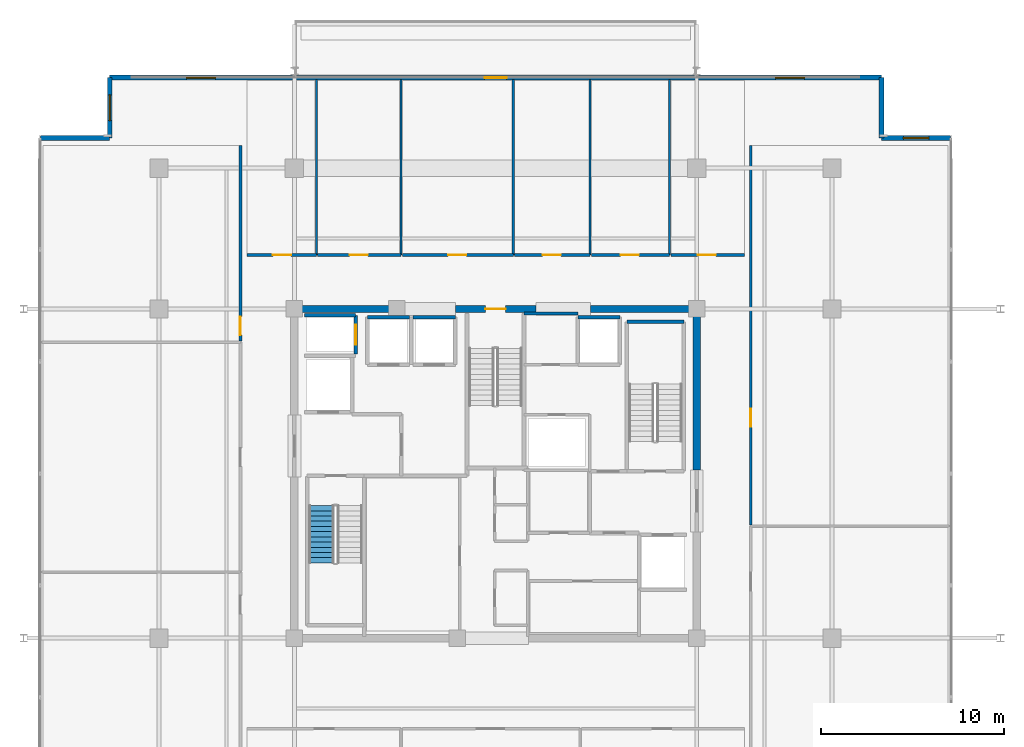
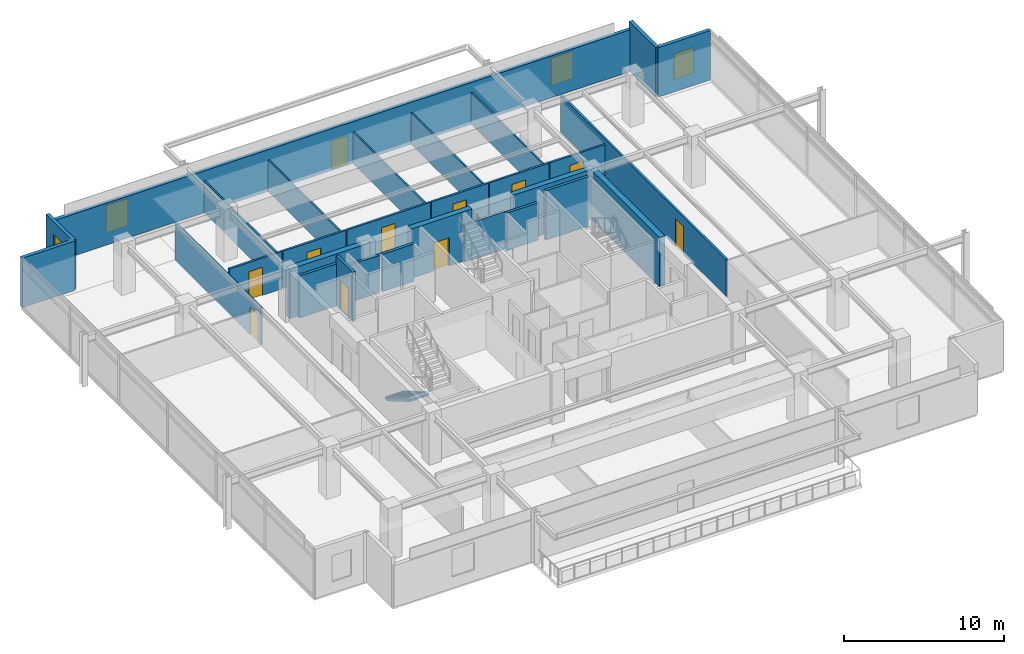
# One storey, part 15 of 20: 29 walls, 11 doors, 4 windows, 1 stair flight, 15 openings, 1 element without a shape of its own.
"""IFC4 building model written with IfcOpenShell, lengths in metres."""

from ifc_helpers import new_model, si_unit, direction, frame, frame_2d, origin, place, context, subcontext, project, spatial, polyline, rectangle, outline, extrude, material, layer, layer_set, type_object, element, fill, aggregate, save


model = new_model("IFC4")

# Units and contexts
model_context = context("Model", 3, precision=1e-05, world=origin(), true_north=direction((0.0, 1.0)))
body_context = subcontext(model_context, "Body", "Model", "MODEL_VIEW")
ifc_project = project(units=[si_unit("LENGTHUNIT", "METRE"), si_unit("AREAUNIT", "SQUARE_METRE"), si_unit("VOLUMEUNIT", "CUBIC_METRE"), si_unit("PLANEANGLEUNIT", "RADIAN"), si_unit("MASSUNIT", "GRAM", prefix="KILO")], contexts=[model_context])

# Site, building, storey
site_placement = place(None, origin())
site = spatial("IfcSite", under=ifc_project, at=site_placement, CompositionType="ELEMENT")
building_placement = place(site_placement, origin())
building = spatial("IfcBuilding", under=site, at=building_placement, Name="Kovane Verandah Tower", CompositionType="ELEMENT")
storey_placement = place(building_placement, frame((0.0, 0.0, 322.800048828125)))
storey = spatial("IfcBuildingStorey", under=building, at=storey_placement, Name="L75", CompositionType="ELEMENT", Elevation=322.800048828125)

# Wall
ifc_material_1 = material(Name="Fire-Rated Gypsum Stud Partition", Category="gypsum")
ifc_layer_1 = layer(ifc_material_1, 0.14990234375)
ifc_layer_set_1 = layer_set([ifc_layer_1], Name="Fire-Rated Gypsum Stud Partition")
wall_type_1 = type_object("IfcWallType", Name="WL-COR-150", PredefinedType="PARTITIONING", material=ifc_layer_set_1)
wall_1_placement = place(storey_placement, frame((41.56005859375, 36.25, 0.0), z_axis=(0.0, 0.0, 1.0), x_axis=(1.0, 0.0, 0.0)))
element("IfcWall", 1, at=wall_1_placement, inside=storey, type_object=wall_type_1, Name="L75 Sky Telecom Riser North Wall", PredefinedType="PARTITIONING", context=body_context, shape_type="SweptSolid", body=[
    extrude(rectangle(XDim=2.93994140625, YDim=0.14990234375, at=frame_2d((1.469970703125, 0.0))), origin(), (0.0, 0.0, 1.0), 2.849853515625),
])

# Wall, opening, door
wall_2_placement = place(storey_placement, frame((26.39990234375, 39.449951171875, 0.0), z_axis=(0.0, 0.0, 1.0), x_axis=(1.0, 0.0, 0.0)))
wall_2 = element("IfcWall", 2, at=wall_2_placement, inside=storey, type_object=wall_type_1, Name="L75 Meeting Room N1 Corridor Partition", PredefinedType="PARTITIONING", context=body_context, shape_type="SweptSolid", body=[
    extrude(rectangle(XDim=3.80810546875, YDim=0.14990234375, at=frame_2d((1.904052734375, 0.0))), origin(), (0.0, 0.0, 1.0), 2.849853515625),
])
opening_1_placement = place(wall_2_placement, frame((1.4189453125, 0.0, 0.0)))
opening_1 = element("IfcOpeningElement", 3, at=opening_1_placement, cuts=wall_2, Name="Opening DR-L75-018", PredefinedType="OPENING", context=body_context, shape_type="SweptSolid", body=[
    extrude(rectangle(XDim=1.0, YDim=2.14990234375, at=frame_2d((0.5, 1.074951171875))), frame((0.0, 0.074951171875, 0.0), z_axis=(0.0, -1.0, 0.0), x_axis=(1.0, 0.0, 0.0)), (0.0, 0.0, 1.0), 0.14990234375),
])
ifc_material_2 = material(Name="FSC Spotted-Gum Timber Fire-Rated Office Door", Category="wood")
door_type_1 = type_object("IfcDoorType", Name="DR-OFF-1000", OperationType="SINGLE_SWING_LEFT", PredefinedType="DOOR", material=ifc_material_2)
door_1_placement = place(opening_1_placement, origin())
door_1 = element("IfcDoor", 4, at=door_1_placement, inside=storey, type_object=door_type_1, Name="L75 Meeting Room N1 Entrance Door", OperationType="SINGLE_SWING_LEFT", OverallHeight=2.14990234375, OverallWidth=1.0, PredefinedType="DOOR", context=body_context, shape_type="SweptSolid", body=[
    extrude(rectangle(XDim=1.0, YDim=2.14990234375, at=frame_2d((0.5, 1.074951171875))), frame((0.0, 0.02490234375, 0.0), z_axis=(0.0, -1.0, 0.0), x_axis=(1.0, 0.0, 0.0)), (0.0, 0.0, 1.0), 0.050048828125),
])
fill(opening_1, door_1)

wall_3_placement = place(storey_placement, frame((30.278076171875, 39.449951171875, 0.0), z_axis=(0.0, 0.0, 1.0), x_axis=(1.0, 0.0, 0.0)))
wall_3 = element("IfcWall", 5, at=wall_3_placement, inside=storey, type_object=wall_type_1, Name="L75 Focus Studio N2 Corridor Partition", PredefinedType="PARTITIONING", context=body_context, shape_type="SweptSolid", body=[
    extrude(rectangle(XDim=4.553955078125, YDim=0.14990234375, at=frame_2d((2.27685546875, 0.0))), origin(), (0.0, 0.0, 1.0), 2.849853515625),
])
opening_2_placement = place(wall_3_placement, frame((1.741943359375, 0.0, 0.0)))
opening_2 = element("IfcOpeningElement", 6, at=opening_2_placement, cuts=wall_3, Name="Opening DR-L75-019", PredefinedType="OPENING", context=body_context, shape_type="SweptSolid", body=[
    extrude(rectangle(XDim=1.0, YDim=2.14990234375, at=frame_2d((0.5, 1.074951171875))), frame((0.0, 0.074951171875, 0.0), z_axis=(0.0, -1.0, 0.0), x_axis=(1.0, 0.0, 0.0)), (0.0, 0.0, 1.0), 0.14990234375),
])
door_2_placement = place(opening_2_placement, origin())
door_2 = element("IfcDoor", 7, at=door_2_placement, inside=storey, type_object=door_type_1, Name="L75 Focus Studio N2 Entrance Door", OperationType="SINGLE_SWING_RIGHT", OverallHeight=2.14990234375, OverallWidth=1.0, PredefinedType="DOOR", context=body_context, shape_type="SweptSolid", body=[
    extrude(rectangle(XDim=1.0, YDim=2.14990234375, at=frame_2d((0.5, 1.074951171875))), frame((0.0, 0.02490234375, 0.0), z_axis=(0.0, -1.0, 0.0), x_axis=(1.0, 0.0, 0.0)), (0.0, 0.0, 1.0), 0.050048828125),
])
fill(opening_2, door_2)

wall_4_placement = place(storey_placement, frame((34.902099609375, 39.449951171875, 0.0), z_axis=(0.0, 0.0, 1.0), x_axis=(1.0, 0.0, 0.0)))
wall_4 = element("IfcWall", 8, at=wall_4_placement, inside=storey, type_object=wall_type_1, Name="L75 Breakout Pantry N3 Corridor Partition", PredefinedType="PARTITIONING", context=body_context, shape_type="SweptSolid", body=[
    extrude(rectangle(XDim=6.06787109375, YDim=0.14990234375, at=frame_2d((3.033935546875, 0.0))), origin(), (0.0, 0.0, 1.0), 2.849853515625),
])
opening_3_placement = place(wall_4_placement, frame((2.4990234375, 0.0, 0.0)))
opening_3 = element("IfcOpeningElement", 9, at=opening_3_placement, cuts=wall_4, Name="Opening DR-L75-020", PredefinedType="OPENING", context=body_context, shape_type="SweptSolid", body=[
    extrude(rectangle(XDim=1.0, YDim=2.14990234375, at=frame_2d((0.5, 1.074951171875))), frame((0.0, 0.074951171875, 0.0), z_axis=(0.0, -1.0, 0.0), x_axis=(1.0, 0.0, 0.0)), (0.0, 0.0, 1.0), 0.14990234375),
])
door_3_placement = place(opening_3_placement, origin())
door_3 = element("IfcDoor", 10, at=door_3_placement, inside=storey, type_object=door_type_1, Name="L75 Breakout Pantry N3 Entrance Door", OperationType="SINGLE_SWING_LEFT", OverallHeight=2.14990234375, OverallWidth=1.0, PredefinedType="DOOR", context=body_context, shape_type="SweptSolid", body=[
    extrude(rectangle(XDim=1.0, YDim=2.14990234375, at=frame_2d((0.5, 1.074951171875))), frame((0.0, 0.02490234375, 0.0), z_axis=(0.0, -1.0, 0.0), x_axis=(1.0, 0.0, 0.0)), (0.0, 0.0, 1.0), 0.050048828125),
])
fill(opening_3, door_3)

wall_5_placement = place(storey_placement, frame((41.0400390625, 39.449951171875, 0.0), z_axis=(0.0, 0.0, 1.0), x_axis=(1.0, 0.0, 0.0)))
wall_5 = element("IfcWall", 11, at=wall_5_placement, inside=storey, type_object=wall_type_1, Name="L75 Collaboration Hub N4 Corridor Partition", PredefinedType="PARTITIONING", context=body_context, shape_type="SweptSolid", body=[
    extrude(rectangle(XDim=4.1279296875, YDim=0.14990234375, at=frame_2d((2.06396484375, 0.0))), origin(), (0.0, 0.0, 1.0), 2.849853515625),
])
opening_4_placement = place(wall_5_placement, frame((1.529052734375, 0.0, 0.0)))
opening_4 = element("IfcOpeningElement", 12, at=opening_4_placement, cuts=wall_5, Name="Opening DR-L75-021", PredefinedType="OPENING", context=body_context, shape_type="SweptSolid", body=[
    extrude(rectangle(XDim=1.0, YDim=2.14990234375, at=frame_2d((0.5, 1.074951171875))), frame((0.0, 0.074951171875, 0.0), z_axis=(0.0, -1.0, 0.0), x_axis=(1.0, 0.0, 0.0)), (0.0, 0.0, 1.0), 0.14990234375),
])
door_4_placement = place(opening_4_placement, origin())
door_4 = element("IfcDoor", 13, at=door_4_placement, inside=storey, type_object=door_type_1, Name="L75 Collaboration Hub N4 Entrance Door", OperationType="SINGLE_SWING_RIGHT", OverallHeight=2.14990234375, OverallWidth=1.0, PredefinedType="DOOR", context=body_context, shape_type="SweptSolid", body=[
    extrude(rectangle(XDim=1.0, YDim=2.14990234375, at=frame_2d((0.5, 1.074951171875))), frame((0.0, 0.02490234375, 0.0), z_axis=(0.0, -1.0, 0.0), x_axis=(1.0, 0.0, 0.0)), (0.0, 0.0, 1.0), 0.050048828125),
])
fill(opening_4, door_4)

wall_6_placement = place(storey_placement, frame((45.238037109375, 39.449951171875, 0.0), z_axis=(0.0, 0.0, 1.0), x_axis=(1.0, 0.0, 0.0)))
wall_6 = element("IfcWall", 14, at=wall_6_placement, inside=storey, type_object=wall_type_1, Name="L75 Document and Print Room N5 Corridor Partition", PredefinedType="PARTITIONING", context=body_context, shape_type="SweptSolid", body=[
    extrude(rectangle(XDim=4.281982421875, YDim=0.14990234375, at=frame_2d((2.14111328125, 0.0))), origin(), (0.0, 0.0, 1.0), 2.849853515625),
])
opening_5_placement = place(wall_6_placement, frame((1.60595703125, 0.0, 0.0)))
opening_5 = element("IfcOpeningElement", 15, at=opening_5_placement, cuts=wall_6, Name="Opening DR-L75-022", PredefinedType="OPENING", context=body_context, shape_type="SweptSolid", body=[
    extrude(rectangle(XDim=1.0, YDim=2.14990234375, at=frame_2d((0.5, 1.074951171875))), frame((0.0, 0.074951171875, 0.0), z_axis=(0.0, -1.0, 0.0), x_axis=(1.0, 0.0, 0.0)), (0.0, 0.0, 1.0), 0.14990234375),
])
door_5_placement = place(opening_5_placement, origin())
door_5 = element("IfcDoor", 16, at=door_5_placement, inside=storey, type_object=door_type_1, Name="L75 Document and Print Room N5 Entrance Door", OperationType="SINGLE_SWING_LEFT", OverallHeight=2.14990234375, OverallWidth=1.0, PredefinedType="DOOR", context=body_context, shape_type="SweptSolid", body=[
    extrude(rectangle(XDim=1.0, YDim=2.14990234375, at=frame_2d((0.5, 1.074951171875))), frame((0.0, 0.02490234375, 0.0), z_axis=(0.0, -1.0, 0.0), x_axis=(1.0, 0.0, 0.0)), (0.0, 0.0, 1.0), 0.050048828125),
])
fill(opening_5, door_5)

wall_7_placement = place(storey_placement, frame((49.590087890625, 39.449951171875, 0.0), z_axis=(0.0, 0.0, 1.0), x_axis=(1.0, 0.0, 0.0)))
wall_7 = element("IfcWall", 17, at=wall_7_placement, inside=storey, type_object=wall_type_1, Name="L75 Open Plan Office N6 Corridor Partition", PredefinedType="PARTITIONING", context=body_context, shape_type="SweptSolid", body=[
    extrude(rectangle(XDim=4.010009765625, YDim=0.14990234375, at=frame_2d((2.0048828125, 0.0))), origin(), (0.0, 0.0, 1.0), 2.849853515625),
])
opening_6_placement = place(wall_7_placement, frame((1.455078125, 0.0, 0.0)))
opening_6 = element("IfcOpeningElement", 18, at=opening_6_placement, cuts=wall_7, Name="Opening DR-L75-023", PredefinedType="OPENING", context=body_context, shape_type="SweptSolid", body=[
    extrude(rectangle(XDim=1.0, YDim=2.14990234375, at=frame_2d((0.5, 1.074951171875))), frame((0.0, 0.074951171875, 0.0), z_axis=(0.0, -1.0, 0.0), x_axis=(1.0, 0.0, 0.0)), (0.0, 0.0, 1.0), 0.14990234375),
])
door_6_placement = place(opening_6_placement, origin())
door_6 = element("IfcDoor", 19, at=door_6_placement, inside=storey, type_object=door_type_1, Name="L75 Open Plan Office N6 Entrance Door", OperationType="SINGLE_SWING_RIGHT", OverallHeight=2.14990234375, OverallWidth=1.0, PredefinedType="DOOR", context=body_context, shape_type="SweptSolid", body=[
    extrude(rectangle(XDim=1.0, YDim=2.14990234375, at=frame_2d((0.5, 1.074951171875))), frame((0.0, 0.02490234375, 0.0), z_axis=(0.0, -1.0, 0.0), x_axis=(1.0, 0.0, 0.0)), (0.0, 0.0, 1.0), 0.050048828125),
])
fill(opening_6, door_6)

wall_8_placement = place(storey_placement, frame((26.050048828125, 34.75, 0.0), z_axis=(0.0, 0.0, 1.0), x_axis=(0.0, 1.0, 0.0)))
wall_8 = element("IfcWall", 20, at=wall_8_placement, inside=storey, type_object=wall_type_1, Name="L75 Collaboration Hub W3 Corridor Partition", PredefinedType="PARTITIONING", context=body_context, shape_type="SweptSolid", body=[
    extrude(rectangle(XDim=10.699951171875, YDim=0.14990234375, at=frame_2d((5.35009765625, 0.0))), origin(), (0.0, 0.0, 1.0), 2.849853515625),
])
opening_7_placement = place(wall_8_placement, frame((0.324951171875, 0.0, 0.0)))
opening_7 = element("IfcOpeningElement", 21, at=opening_7_placement, cuts=wall_8, Name="Opening DR-L75-032", PredefinedType="OPENING", context=body_context, shape_type="SweptSolid", body=[
    extrude(rectangle(XDim=1.0, YDim=2.14990234375, at=frame_2d((0.5, 1.074951171875))), frame((0.0, 0.074951171875, 0.0), z_axis=(0.0, -1.0, 0.0), x_axis=(1.0, 0.0, 0.0)), (0.0, 0.0, 1.0), 0.14990234375),
])
door_7_placement = place(opening_7_placement, origin())
door_7 = element("IfcDoor", 22, at=door_7_placement, inside=storey, type_object=door_type_1, Name="L75 Collaboration Hub W3 Entrance Door", OperationType="SINGLE_SWING_RIGHT", OverallHeight=2.14990234375, OverallWidth=1.0, PredefinedType="DOOR", context=body_context, shape_type="SweptSolid", body=[
    extrude(rectangle(XDim=1.0, YDim=2.14990234375, at=frame_2d((0.5, 1.074951171875))), frame((0.0, 0.02490234375, 0.0), z_axis=(0.0, -1.0, 0.0), x_axis=(1.0, 0.0, 0.0)), (0.0, 0.0, 1.0), 0.050048828125),
])
fill(opening_7, door_7)

wall_9_placement = place(storey_placement, frame((53.949951171875, 24.697998046875, 0.0), z_axis=(0.0, 0.0, 1.0), x_axis=(0.0, 1.0, 0.0)))
wall_9 = element("IfcWall", 23, at=wall_9_placement, inside=storey, type_object=wall_type_1, Name="L75 Open Plan Office E2 Corridor Partition", PredefinedType="PARTITIONING", context=body_context, shape_type="SweptSolid", body=[
    extrude(rectangle(XDim=20.751953125, YDim=0.14990234375, at=frame_2d((10.3759765625, 0.0))), origin(), (0.0, 0.0, 1.0), 2.849853515625),
])
opening_8_placement = place(wall_9_placement, frame((5.35107421875, 0.0, 0.0)))
opening_8 = element("IfcOpeningElement", 24, at=opening_8_placement, cuts=wall_9, Name="Opening DR-L75-012", PredefinedType="OPENING", context=body_context, shape_type="SweptSolid", body=[
    extrude(rectangle(XDim=1.0, YDim=2.14990234375, at=frame_2d((0.5, 1.074951171875))), frame((0.0, 0.074951171875, 0.0), z_axis=(0.0, -1.0, 0.0), x_axis=(1.0, 0.0, 0.0)), (0.0, 0.0, 1.0), 0.14990234375),
])
door_8_placement = place(opening_8_placement, origin())
door_8 = element("IfcDoor", 25, at=door_8_placement, inside=storey, type_object=door_type_1, Name="L75 Open Plan Office E2 Entrance Door", OperationType="SINGLE_SWING_RIGHT", OverallHeight=2.14990234375, OverallWidth=1.0, PredefinedType="DOOR", context=body_context, shape_type="SweptSolid", body=[
    extrude(rectangle(XDim=1.0, YDim=2.14990234375, at=frame_2d((0.5, 1.074951171875))), frame((0.0, 0.02490234375, 0.0), z_axis=(0.0, -1.0, 0.0), x_axis=(1.0, 0.0, 0.0)), (0.0, 0.0, 1.0), 0.050048828125),
])
fill(opening_8, door_8)

# Wall
ifc_material_3 = material(Name="Concrete C60/75", Category="concrete")
ifc_layer_2 = layer(ifc_material_3, 0.39990234375)
ifc_layer_set_2 = layer_set([ifc_layer_2], Name="Concrete C60/75")
wall_type_2 = type_object("IfcWallType", Name="WL-CORE-400", PredefinedType="SHEAR", material=ifc_layer_set_2)
wall_10_placement = place(storey_placement, frame((29.0, 36.5, 0.0), z_axis=(0.0, 0.0, 1.0), x_axis=(1.0, 0.0, 0.0)))
element("IfcWall", 26, at=wall_10_placement, inside=storey, type_object=wall_type_2, Name="L75 Core Shear Wall CN-1", PredefinedType="SHEAR", context=body_context, shape_type="SweptSolid", body=[
    extrude(rectangle(XDim=5.800048828125, YDim=0.39990234375, at=frame_2d((2.89990234375, 0.0))), origin(), (0.0, 0.0, 1.0), 3.784912109375),
])

# Wall, opening, door
wall_11_placement = place(storey_placement, frame((37.800048828125, 36.5, 0.0), z_axis=(0.0, 0.0, 1.0), x_axis=(1.0, 0.0, 0.0)))
wall_11 = element("IfcWall", 27, at=wall_11_placement, inside=storey, type_object=wall_type_2, Name="L75 Core Shear Wall CN-2", PredefinedType="SHEAR", context=body_context, shape_type="SweptSolid", body=[
    extrude(rectangle(XDim=4.39990234375, YDim=0.39990234375, at=frame_2d((2.199951171875, 0.0))), origin(), (0.0, 0.0, 1.0), 3.784912109375),
])
opening_9_placement = place(wall_11_placement, frame((1.64990234375, 0.0, 0.0)))
opening_9 = element("IfcOpeningElement", 28, at=opening_9_placement, cuts=wall_11, Name="Opening DR-L75-010", PredefinedType="OPENING", context=body_context, shape_type="SweptSolid", body=[
    extrude(rectangle(XDim=1.10009765625, YDim=2.14990234375, at=frame_2d((0.550048828125, 1.074951171875))), frame((0.0, 0.199951171875, 0.0), z_axis=(0.0, -1.0, 0.0), x_axis=(1.0, 0.0, 0.0)), (0.0, 0.0, 1.0), 0.39990234375),
])
ifc_material_4 = material(Name="Fire-Rated Steel Exit Door", Category="steel")
door_type_2 = type_object("IfcDoorType", Name="DR-STAIR-1100", OperationType="SINGLE_SWING_LEFT", PredefinedType="DOOR", material=ifc_material_4)
door_9_placement = place(opening_9_placement, origin())
door_9 = element("IfcDoor", 29, at=door_9_placement, inside=storey, type_object=door_type_2, Name="L75 ST-03 Fire Exit Stair Door", OperationType="SINGLE_SWING_RIGHT", OverallHeight=2.14990234375, OverallWidth=1.10009765625, PredefinedType="DOOR", context=body_context, shape_type="SweptSolid", body=[
    extrude(rectangle(XDim=1.10009765625, YDim=2.14990234375, at=frame_2d((0.550048828125, 1.074951171875))), frame((0.0, 0.02490234375, 0.0), z_axis=(0.0, -1.0, 0.0), x_axis=(1.0, 0.0, 0.0)), (0.0, 0.0, 1.0), 0.050048828125),
])
fill(opening_9, door_9)

# Walls
wall_12_placement = place(storey_placement, frame((45.199951171875, 36.5, 0.0), z_axis=(0.0, 0.0, 1.0), x_axis=(1.0, 0.0, 0.0)))
element("IfcWall", 30, at=wall_12_placement, inside=storey, type_object=wall_type_2, Name="L75 Core Shear Wall CN-3", PredefinedType="SHEAR", context=body_context, shape_type="SweptSolid", body=[
    extrude(rectangle(XDim=5.800048828125, YDim=0.39990234375, at=frame_2d((2.89990234375, 0.0))), origin(), (0.0, 0.0, 1.0), 3.784912109375),
])
wall_13_placement = place(storey_placement, frame((51.0, 27.699951171875, 0.0), z_axis=(0.0, 0.0, 1.0), x_axis=(0.0, 1.0, 0.0)))
element("IfcWall", 31, at=wall_13_placement, inside=storey, type_object=wall_type_2, Name="L75 Core Shear Wall CE-2", PredefinedType="SHEAR", context=body_context, shape_type="SweptSolid", body=[
    extrude(rectangle(XDim=8.800048828125, YDim=0.39990234375, at=frame_2d((4.39990234375, 0.0))), origin(), (0.0, 0.0, 1.0), 3.784912109375),
])
ifc_material_5 = material(Name="Concrete C45/55 Lift Shaft Wall", Category="concrete")
ifc_layer_3 = layer(ifc_material_5, 0.199951171875)
ifc_layer_set_3 = layer_set([ifc_layer_3], Name="Concrete C45/55 Lift Shaft Wall")
wall_type_3 = type_object("IfcWallType", Name="WL-LIFT-200", PredefinedType="SOLIDWALL", material=ifc_layer_set_3)
wall_14_placement = place(storey_placement, frame((32.35009765625, 36.14990234375, 0.0), z_axis=(0.0, 0.0, 1.0), x_axis=(-1.0, 0.0, 0.0)))
element("IfcWall", 32, at=wall_14_placement, inside=storey, type_object=wall_type_3, Name="L75 Lift GL-01 N Shaft Wall", PredefinedType="SOLIDWALL", context=body_context, shape_type="SweptSolid", body=[
    extrude(rectangle(XDim=2.800048828125, YDim=0.199951171875, at=frame_2d((1.39990234375, 0.0))), origin(), (0.0, 0.0, 1.0), 3.220458984375),
])

# Wall, opening, door
wall_15_placement = place(storey_placement, frame((32.35009765625, 34.050048828125, 0.0), z_axis=(0.0, 0.0, 1.0), x_axis=(0.0, 1.0, 0.0)))
wall_15 = element("IfcWall", 33, at=wall_15_placement, inside=storey, type_object=wall_type_3, Name="L75 Lift GL-01 E Shaft Wall", PredefinedType="SOLIDWALL", context=body_context, shape_type="SweptSolid", body=[
    extrude(rectangle(XDim=2.099853515625, YDim=0.199951171875, at=frame_2d((1.0498046875, 0.0))), origin(), (0.0, 0.0, 1.0), 3.784912109375),
])
opening_10_placement = place(wall_15_placement, frame((0.5, 0.0, 0.0)))
opening_10 = element("IfcOpeningElement", 34, at=opening_10_placement, cuts=wall_15, Name="Opening LD-L75-003", PredefinedType="OPENING", context=body_context, shape_type="SweptSolid", body=[
    extrude(rectangle(XDim=1.10009765625, YDim=2.199951171875, at=frame_2d((0.550048828125, 1.10009765625))), frame((0.0, 0.10009765625, 0.0), z_axis=(0.0, -1.0, 0.0), x_axis=(1.0, 0.0, 0.0)), (0.0, 0.0, 1.0), 0.199951171875),
])
ifc_material_6 = material(Name="Brushed Stainless Steel Sliding Lift Landing Door", Category="steel")
door_type_3 = type_object("IfcDoorType", Name="DR-LIFT-1100", OperationType="SLIDING_TO_RIGHT", PredefinedType="DOOR", material=ifc_material_6)
door_10_placement = place(opening_10_placement, origin())
door_10 = element("IfcDoor", 35, at=door_10_placement, inside=storey, type_object=door_type_3, Name="L75 Lift GL-01 Sliding Landing Door", OperationType="SLIDING_TO_RIGHT", OverallHeight=2.199951171875, OverallWidth=1.10009765625, PredefinedType="DOOR", context=body_context, shape_type="SweptSolid", body=[
    extrude(rectangle(XDim=1.10009765625, YDim=2.199951171875, at=frame_2d((0.550048828125, 1.10009765625))), frame((0.0, 0.02490234375, 0.0), z_axis=(0.0, -1.0, 0.0), x_axis=(1.0, 0.0, 0.0)), (0.0, 0.0, 1.0), 0.050048828125),
])
fill(opening_10, door_10)

# Walls
for number, where, z_axis, x_axis, name in (
    (36, (35.300048828125, 36.050048828125, 0.0), (0.0, 0.0, 1.0), (-1.0, 0.0, 0.0), "L75 Lift PL-H1 N Shaft Wall"),
    (37, (37.800048828125, 36.050048828125, 0.0), (0.0, 0.0, 1.0), (-1.0, 0.0, 0.0), "L75 Lift PL-H2 N Shaft Wall"),
    (38, (46.800048828125, 36.050048828125, 0.0), (0.0, 0.0, 1.0), (-1.0, 0.0, 0.0), "L75 Lift OL-01 N Shaft Wall"),
):
    element("IfcWall", number, at=place(storey_placement, frame(where, z_axis=z_axis, x_axis=x_axis)), inside=storey, type_object=wall_type_3, Name=name, PredefinedType="SOLIDWALL", context=body_context, shape_type="SweptSolid", body=[
        extrude(rectangle(XDim=2.300048828125, YDim=0.199951171875, at=frame_2d((1.14990234375, 0.0))), origin(), (0.0, 0.0, 1.0), 2.864990234375),
    ])
ifc_material_7 = material(Name="Acoustic Fire-Rated Gypsum Partition", Category="gypsum")
ifc_layer_4 = layer(ifc_material_7, 0.1201171875)
ifc_layer_set_4 = layer_set([ifc_layer_4], Name="Acoustic Fire-Rated Gypsum Partition")
wall_type_4 = type_object("IfcWallType", Name="WL-PART-120", PredefinedType="PARTITIONING", material=ifc_layer_set_4)
for number, where, z_axis, x_axis, name in (
    (39, (30.2080078125, 39.449951171875, 0.0), (0.0, 0.0, 1.0), (0.0, 1.0, 0.0), "L75 Meeting Room N1 Dividing Partition"),
    (40, (34.83203125, 39.449951171875, 0.0), (0.0, 0.0, 1.0), (0.0, 1.0, 0.0), "L75 Focus Studio N2 Dividing Partition"),
    (41, (40.969970703125, 39.449951171875, 0.0), (0.0, 0.0, 1.0), (0.0, 1.0, 0.0), "L75 Breakout Pantry N3 Dividing Partition"),
    (42, (45.16796875, 39.449951171875, 0.0), (0.0, 0.0, 1.0), (0.0, 1.0, 0.0), "L75 Collaboration Hub N4 Dividing Partition"),
    (43, (49.52001953125, 39.449951171875, 0.0), (0.0, 0.0, 1.0), (0.0, 1.0, 0.0), "L75 Document and Print Room N5 Dividing Partition"),
):
    element("IfcWall", number, at=place(storey_placement, frame(where, z_axis=z_axis, x_axis=x_axis)), inside=storey, type_object=wall_type_4, Name=name, PredefinedType="PARTITIONING", context=body_context, shape_type="SweptSolid", body=[
        extrude(rectangle(XDim=9.60009765625, YDim=0.1201171875, at=frame_2d((4.800048828125, 0.0))), origin(), (0.0, 0.0, 1.0), 2.4150390625),
    ])
ifc_material_8 = material(Name="Concrete C45/55", Category="concrete")
ifc_layer_5 = layer(ifc_material_8, 0.199951171875)
ifc_layer_set_5 = layer_set([ifc_layer_5], Name="Concrete C45/55")
wall_type_5 = type_object("IfcWallType", Name="WL-SHAFT-200", PredefinedType="SOLIDWALL", material=ifc_layer_set_5)
wall_16_placement = place(storey_placement, frame((47.179931640625, 35.800048828125, 0.0), z_axis=(0.0, 0.0, 1.0), x_axis=(1.0, 0.0, 0.0)))
element("IfcWall", 44, at=wall_16_placement, inside=storey, type_object=wall_type_5, Name="W-L75-ST02-N", PredefinedType="SOLIDWALL", context=body_context, shape_type="SweptSolid", body=[
    extrude(rectangle(XDim=3.1201171875, YDim=0.199951171875, at=frame_2d((1.56005859375, 0.0))), origin(), (0.0, 0.0, 1.0), 3.784912109375),
])

# Wall, openings, door, windows
ifc_material_9 = material(Name="Concrete C45/55 Insulated Spandrel Wall", Category="concrete")
ifc_layer_6 = layer(ifc_material_9, 0.260009765625)
ifc_layer_set_6 = layer_set([ifc_layer_6], Name="Concrete C45/55 Insulated Spandrel Wall")
wall_type_6 = type_object("IfcWallType", Name="WL-SPANDREL-260", PredefinedType="PARAPET", material=ifc_layer_set_6)
wall_17_placement = place(storey_placement, frame((61.10009765625, 49.14990234375, 0.0), z_axis=(0.0, 0.0, 1.0), x_axis=(-1.0, 0.0, 0.0)))
wall_17 = element("IfcWall", 45, at=wall_17_placement, inside=storey, type_object=wall_type_6, Name="L75 N Verandah Access Facade Wall", PredefinedType="PARAPET", context=body_context, shape_type="SweptSolid", body=[
    extrude(rectangle(XDim=42.2001953125, YDim=0.260009765625, at=frame_2d((21.10009765625, 0.0))), origin(), (0.0, 0.0, 1.0), 3.195556640625),
])
opening_11_placement = place(wall_17_placement, frame((4.199951171875, 0.0, 0.85009765625)))
opening_11 = element("IfcOpeningElement", 46, at=opening_11_placement, cuts=wall_17, Name="Opening W-02", PredefinedType="OPENING", context=body_context, shape_type="SweptSolid", body=[
    extrude(rectangle(XDim=1.60009765625, YDim=2.10009765625, at=frame_2d((0.800048828125, 1.050048828125))), frame((0.0, 0.1298828125, 0.0), z_axis=(0.0, -1.0, 0.0), x_axis=(1.0, 0.0, 0.0)), (0.0, 0.0, 1.0), 0.260009765625),
])
opening_12_placement = place(wall_17_placement, frame((20.5, 0.0, 0.0)))
opening_12 = element("IfcOpeningElement", 47, at=opening_12_placement, cuts=wall_17, Name="Opening DR-L75-001", PredefinedType="OPENING", context=body_context, shape_type="SweptSolid", body=[
    extrude(rectangle(XDim=1.199951171875, YDim=2.199951171875, at=frame_2d((0.60009765625, 1.10009765625))), frame((0.0, 0.1298828125, 0.0), z_axis=(0.0, -1.0, 0.0), x_axis=(1.0, 0.0, 0.0)), (0.0, 0.0, 1.0), 0.260009765625),
])
opening_13_placement = place(wall_17_placement, frame((36.39990234375, 0.0, 0.85009765625)))
opening_13 = element("IfcOpeningElement", 48, at=opening_13_placement, cuts=wall_17, Name="Opening W-02", PredefinedType="OPENING", context=body_context, shape_type="SweptSolid", body=[
    extrude(rectangle(XDim=1.60009765625, YDim=2.10009765625, at=frame_2d((0.800048828125, 1.050048828125))), frame((0.0, 0.1298828125, 0.0), z_axis=(0.0, -1.0, 0.0), x_axis=(1.0, 0.0, 0.0)), (0.0, 0.0, 1.0), 0.260009765625),
])
ifc_material_10 = material(Name="Cyclone-Rated Glazed Balcony Leaf Door", Category="aluminium")
door_type_4 = type_object("IfcDoorType", Name="DR-BAL-1200x2200", OperationType="SINGLE_SWING_LEFT", PredefinedType="DOOR", material=ifc_material_10)
door_11_placement = place(opening_12_placement, origin())
door_11 = element("IfcDoor", 49, at=door_11_placement, inside=storey, type_object=door_type_4, Name="L75 N Planted Balcony Access Door", OperationType="SINGLE_SWING_LEFT", OverallHeight=2.199951171875, OverallWidth=1.199951171875, PredefinedType="DOOR", context=body_context, shape_type="SweptSolid", body=[
    extrude(rectangle(XDim=1.199951171875, YDim=2.199951171875, at=frame_2d((0.60009765625, 1.10009765625))), frame((0.0, 0.02490234375, 0.0), z_axis=(0.0, -1.0, 0.0), x_axis=(1.0, 0.0, 0.0)), (0.0, 0.0, 1.0), 0.050048828125),
])
fill(opening_12, door_11)
ifc_material_11 = material(Name="Clear Low-E Laminated Double Glazing in Anodised Frame", Category="glass")
window_type_1 = type_object("IfcWindowType", Name="WN-OPER-1600x2100", PartitioningType="SINGLE_PANEL", PredefinedType="WINDOW", material=ifc_material_11)
window_1_placement = place(opening_11_placement, origin())
window_1 = element("IfcWindow", 50, at=window_1_placement, inside=storey, type_object=window_type_1, Name="L75 N Verandah View Window 1", OverallHeight=2.10009765625, OverallWidth=1.60009765625, PartitioningType="SINGLE_PANEL", PredefinedType="WINDOW", context=body_context, shape_type="SweptSolid", body=[
    extrude(rectangle(XDim=1.60009765625, YDim=2.10009765625, at=frame_2d((0.800048828125, 1.050048828125))), frame((0.0, 0.030029296875, 0.0), z_axis=(0.0, -1.0, 0.0), x_axis=(1.0, 0.0, 0.0)), (0.0, 0.0, 1.0), 0.06005859375),
])
fill(opening_11, window_1)
window_2_placement = place(opening_13_placement, origin())
window_2 = element("IfcWindow", 51, at=window_2_placement, inside=storey, type_object=window_type_1, Name="L75 N Verandah View Window 2", OverallHeight=2.10009765625, OverallWidth=1.60009765625, PartitioningType="SINGLE_PANEL", PredefinedType="WINDOW", context=body_context, shape_type="SweptSolid", body=[
    extrude(rectangle(XDim=1.60009765625, YDim=2.10009765625, at=frame_2d((0.800048828125, 1.050048828125))), frame((0.0, 0.030029296875, 0.0), z_axis=(0.0, -1.0, 0.0), x_axis=(1.0, 0.0, 0.0)), (0.0, 0.0, 1.0), 0.06005859375),
])
fill(opening_13, window_2)

# Wall, opening, window
wall_18_placement = place(storey_placement, frame((64.89990234375, 45.85009765625, 0.0), z_axis=(0.0, 0.0, 1.0), x_axis=(-1.0, 0.0, 0.0)))
wall_18 = element("IfcWall", 52, at=wall_18_placement, inside=storey, type_object=wall_type_6, Name="L75 NE Notch Cheek Wall 1", PredefinedType="PARAPET", context=body_context, shape_type="SweptSolid", body=[
    extrude(rectangle(XDim=3.7998046875, YDim=0.260009765625, at=frame_2d((1.89990234375, 0.0))), origin(), (0.0, 0.0, 1.0), 3.784912109375),
])
opening_14_placement = place(wall_18_placement, frame((1.199951171875, 0.0, 0.85009765625)))
opening_14 = element("IfcOpeningElement", 53, at=opening_14_placement, cuts=wall_18, Name="Opening W-01", PredefinedType="OPENING", context=body_context, shape_type="SweptSolid", body=[
    extrude(rectangle(XDim=1.39990234375, YDim=2.0, at=frame_2d((0.699951171875, 1.0))), frame((0.0, 0.1298828125, 0.0), z_axis=(0.0, -1.0, 0.0), x_axis=(1.0, 0.0, 0.0)), (0.0, 0.0, 1.0), 0.260009765625),
])
window_type_2 = type_object("IfcWindowType", Name="WN-OPER-1400x2000", PartitioningType="SINGLE_PANEL", PredefinedType="WINDOW", material=ifc_material_11)
window_3_placement = place(opening_14_placement, origin())
window_3 = element("IfcWindow", 54, at=window_3_placement, inside=storey, type_object=window_type_2, Name="L75 NE Re-Entrant Corner Operable Window", OverallHeight=2.0, OverallWidth=1.39990234375, PartitioningType="SINGLE_PANEL", PredefinedType="WINDOW", context=body_context, shape_type="SweptSolid", body=[
    extrude(rectangle(XDim=1.39990234375, YDim=2.0, at=frame_2d((0.699951171875, 1.0))), frame((0.0, 0.030029296875, 0.0), z_axis=(0.0, -1.0, 0.0), x_axis=(1.0, 0.0, 0.0)), (0.0, 0.0, 1.0), 0.06005859375),
])
fill(opening_14, window_3)

# Wall
wall_19_placement = place(storey_placement, frame((61.10009765625, 45.85009765625, 0.0), z_axis=(0.0, 0.0, 1.0), x_axis=(0.0, 1.0, 0.0)))
element("IfcWall", 55, at=wall_19_placement, inside=storey, type_object=wall_type_6, Name="L75 NE Notch Cheek Wall 2", PredefinedType="PARAPET", context=body_context, shape_type="SweptSolid", body=[
    extrude(rectangle(XDim=3.2998046875, YDim=0.260009765625, at=frame_2d((1.64990234375, 0.0))), origin(), (0.0, 0.0, 1.0), 3.784912109375),
])

# Wall, opening, window
wall_20_placement = place(storey_placement, frame((18.89990234375, 49.14990234375, 0.0), z_axis=(0.0, 0.0, 1.0), x_axis=(0.0, -1.0, 0.0)))
wall_20 = element("IfcWall", 56, at=wall_20_placement, inside=storey, type_object=wall_type_6, Name="L75 NW Notch Cheek Wall 1", PredefinedType="PARAPET", context=body_context, shape_type="SweptSolid", body=[
    extrude(rectangle(XDim=3.2998046875, YDim=0.260009765625, at=frame_2d((1.64990234375, 0.0))), origin(), (0.0, 0.0, 1.0), 3.784912109375),
])
opening_15_placement = place(wall_20_placement, frame((0.949951171875, 0.0, 0.85009765625)))
opening_15 = element("IfcOpeningElement", 57, at=opening_15_placement, cuts=wall_20, Name="Opening W-01", PredefinedType="OPENING", context=body_context, shape_type="SweptSolid", body=[
    extrude(rectangle(XDim=1.39990234375, YDim=2.0, at=frame_2d((0.699951171875, 1.0))), frame((0.0, 0.1298828125, 0.0), z_axis=(0.0, -1.0, 0.0), x_axis=(1.0, 0.0, 0.0)), (0.0, 0.0, 1.0), 0.260009765625),
])
window_4_placement = place(opening_15_placement, origin())
window_4 = element("IfcWindow", 58, at=window_4_placement, inside=storey, type_object=window_type_2, Name="L75 NW Re-Entrant Corner Operable Window", OverallHeight=2.0, OverallWidth=1.39990234375, PartitioningType="SINGLE_PANEL", PredefinedType="WINDOW", context=body_context, shape_type="SweptSolid", body=[
    extrude(rectangle(XDim=1.39990234375, YDim=2.0, at=frame_2d((0.699951171875, 1.0))), frame((0.0, 0.030029296875, 0.0), z_axis=(0.0, -1.0, 0.0), x_axis=(1.0, 0.0, 0.0)), (0.0, 0.0, 1.0), 0.06005859375),
])
fill(opening_15, window_4)

# Wall
wall_21_placement = place(storey_placement, frame((18.89990234375, 45.85009765625, 0.0), z_axis=(0.0, 0.0, 1.0), x_axis=(-1.0, 0.0, 0.0)))
element("IfcWall", 59, at=wall_21_placement, inside=storey, type_object=wall_type_6, Name="L75 NW Notch Cheek Wall 2", PredefinedType="PARAPET", context=body_context, shape_type="SweptSolid", body=[
    extrude(rectangle(XDim=3.7998046875, YDim=0.260009765625, at=frame_2d((1.89990234375, 0.0))), origin(), (0.0, 0.0, 1.0), 3.784912109375),
])

# Stair, stair flight
stair_type = type_object("IfcStairType", Name="ST-CORE-1380", PredefinedType="HALF_TURN_STAIR", material=ifc_material_8)
stair_placement = place(storey_placement, origin())
stair = element("IfcStair", 60, at=stair_placement, inside=storey, type_object=stair_type, Name="L75 Exit Stair ST-01", PredefinedType="HALF_TURN_STAIR")
stair_flight_type = type_object("IfcStairFlightType", Name="STF-CORE-1380", PredefinedType="STRAIGHT", material=ifc_material_8)
stair_flight_placement = place(storey_placement, frame((30.489990234375, 25.75, 0.0), z_axis=(0.0, 0.0, 1.0), x_axis=(0.0, -1.0, 0.0)))
stair_flight = element("IfcStairFlight", 61, at=stair_flight_placement, type_object=stair_flight_type, Name="ST-01 flight 1", NumberOfRisers=12, NumberOfTreads=11, PredefinedType="STRAIGHT", RiserHeight=0.166666667, TreadLength=0.285, context=body_context, shape_type="SweptSolid", body=[
    extrude(outline(polyline([(0.0, 0.0), (0.0, 0.166748046875), (0.284912109375, 0.166748046875), (0.284912109375, 0.333251953125), (0.570068359375, 0.333251953125), (0.570068359375, 0.5), (0.85498046875, 0.5), (0.85498046875, 0.666748046875), (1.139892578125, 0.666748046875), (1.139892578125, 0.833251953125), (1.425048828125, 0.833251953125), (1.425048828125, 1.0), (1.7099609375, 1.0), (1.7099609375, 1.166748046875), (1.9951171875, 1.166748046875), (1.9951171875, 1.333251953125), (2.280029296875, 1.333251953125), (2.280029296875, 1.5), (2.56494140625, 1.5), (2.56494140625, 1.666748046875), (2.85009765625, 1.666748046875), (2.85009765625, 1.833251953125), (3.135009765625, 1.833251953125), (3.135009765625, 2.0), (3.135009765625, 1.65966796875), (0.296875, 0.0), (0.0, 0.0)])), frame((0.0, 0.68994140625, 0.0), z_axis=(0.0, -1.0, 0.0), x_axis=(1.0, 0.0, 0.0)), (0.0, 0.0, 1.0), 1.3798828125),
])
aggregate(stair, [stair_flight])

save(model, "model.ifc")
